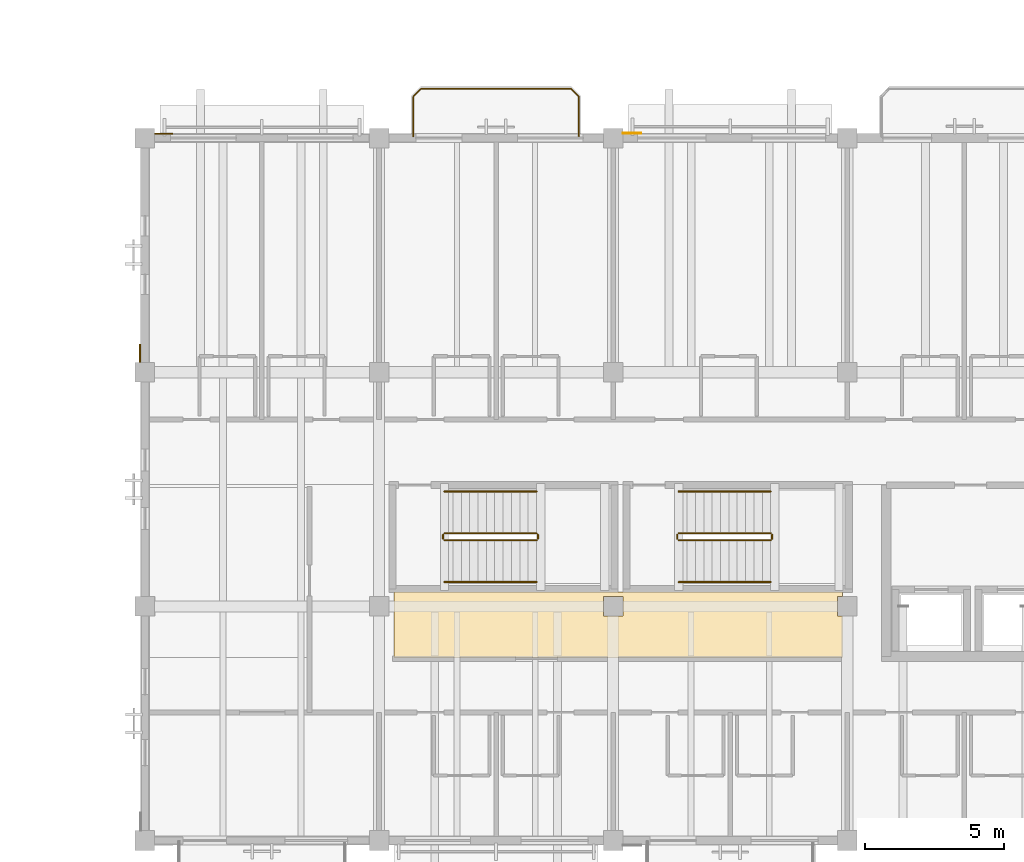
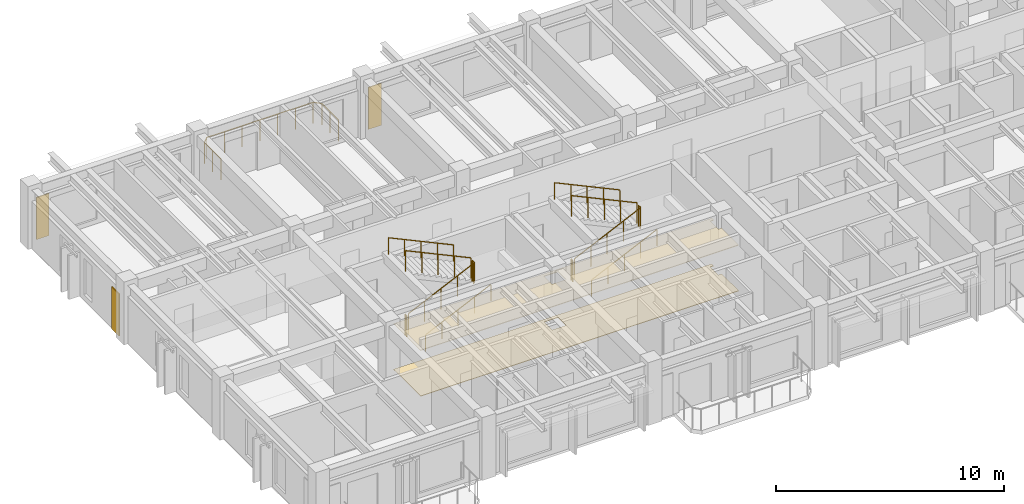
# One storey, part 89 of 93: 13 railings, 5 coverings.
"""IFC4 building model written with IfcOpenShell, lengths in metres."""

from ifc_helpers import new_model, si_unit, direction, frame, origin, origin_2d, place, context, subcontext, project, spatial, polyline, circle, outline, extrude, material, layer, layer_set, type_object, element, save


model = new_model("IFC4")

# Units and contexts
model_context = context("Model", 3, precision=1e-05, world=origin(), true_north=direction((0.0, 1.0)))
body_context = subcontext(model_context, "Body", "Model", "MODEL_VIEW")
ifc_project = project(units=[si_unit("LENGTHUNIT", "METRE"), si_unit("AREAUNIT", "SQUARE_METRE"), si_unit("VOLUMEUNIT", "CUBIC_METRE"), si_unit("PLANEANGLEUNIT", "RADIAN"), si_unit("MASSUNIT", "GRAM", prefix="KILO")], contexts=[model_context])

# Site, building, storey
site_placement = place(None, origin())
site = spatial("IfcSite", under=ifc_project, at=site_placement, CompositionType="ELEMENT")
building_placement = place(site_placement, origin())
building = spatial("IfcBuilding", under=site, at=building_placement, Name="Cumbredor Promenade Congress Hotel", CompositionType="ELEMENT")
storey_placement = place(building_placement, frame((0.0, 0.0, 21.840087890625)))
storey = spatial("IfcBuildingStorey", under=building, at=storey_placement, Name="L06", CompositionType="ELEMENT", Elevation=21.840087890625)

# Coverings
ifc_material_1 = material(Name="Acoustic mineral-fiber and gypsum ceiling")
ifc_layer_1 = layer(ifc_material_1, 0.031982421875, Name="Acoustic mineral-fiber and gypsum ceiling")
ifc_layer_set_1 = layer_set([ifc_layer_1], Name="Acoustic mineral-fiber and gypsum ceiling")
covering_type_1 = type_object("IfcCoveringType", Name="Acoustic Perforated Gypsum Ceiling CLG-04 32mm", PredefinedType="CEILING", material=ifc_layer_set_1)
covering_1_placement = place(storey_placement, frame((0.0, 0.0, 2.43896484375)))
element("IfcCovering", 1, at=covering_1_placement, inside=storey, type_object=covering_type_1, Name="L06 Sabana Delegates Study Salon Acoustic Ceiling", PredefinedType="CEILING", context=body_context, shape_type="SweptSolid", body=[
    extrude(outline(polyline([(8.93994140625, 101.320068359375), (25.02001953125, 101.320068359375), (25.02001953125, 101.155029296875), (24.844970703125, 101.155029296875), (24.844970703125, 100.445068359375), (25.02001953125, 100.445068359375), (25.02001953125, 98.9599609375), (8.93994140625, 98.9599609375), (8.93994140625, 101.320068359375)]), holes=[polyline([(16.445068359375, 101.155029296875), (16.445068359375, 100.445068359375), (17.155029296875, 100.445068359375), (17.155029296875, 101.155029296875), (16.445068359375, 101.155029296875)])]), origin(), (0.0, 0.0, 1.0), 0.031982421875),
])
ifc_material_2 = material(Name="Precast concrete C40/50", Category="concrete")
ifc_layer_2 = layer(ifc_material_2, 0.044921875, Name="Precast concrete C40/50", Category="concrete")
ifc_layer_set_2 = layer_set([ifc_layer_2], Name="Precast concrete C40/50")
covering_type_2 = type_object("IfcCoveringType", Name="Board-Formed Architectural Cladding Panel 45mm", PredefinedType="CLADDING", material=ifc_layer_set_2)
covering_2_placement = place(storey_placement, origin())
element("IfcCovering", 2, at=covering_2_placement, inside=storey, type_object=covering_type_2, Name="L06 Facade Stone Cladding Pier 214", PredefinedType="CLADDING", context=body_context, shape_type="SweptSolid", body=[
    extrude(outline(polyline([(0.35107421875, 117.72998046875), (1.0009765625, 117.72998046875), (1.0009765625, 117.77490234375), (0.35107421875, 117.77490234375), (0.35107421875, 117.72998046875)])), origin(), (0.0, 0.0, 1.0), 2.25),
])
covering_3_placement = place(storey_placement, origin())
element("IfcCovering", 3, at=covering_3_placement, inside=storey, type_object=covering_type_2, Name="L06 Facade Stone Cladding Pier 218", PredefinedType="CLADDING", context=body_context, shape_type="SweptSolid", body=[
    extrude(outline(polyline([(-0.14990234375, 109.551025390625), (-0.14990234375, 110.200927734375), (-0.195068359375, 110.200927734375), (-0.195068359375, 109.551025390625), (-0.14990234375, 109.551025390625)])), origin(), (0.0, 0.0, 1.0), 2.25),
])

# Railings
ifc_material_3 = material(Name="Brushed stainless steel", Category="steel")
railing_type_1 = type_object("IfcRailingType", Name="Interior Void & Stair Guardrail GR-1100", PredefinedType="GUARDRAIL", material=ifc_material_3)
railing_1_placement = place(storey_placement, frame((10.75, 103.169921875, 0.139892578125)))
element("IfcRailing", 4, at=railing_1_placement, inside=storey, type_object=railing_type_1, Name="L06 ST-01 stair guard 1", PredefinedType="GUARDRAIL", context=body_context, shape_type="SweptSolid", body=[
    extrude(circle(Radius=0.02392578125, at=origin_2d()), frame((0.0, 0.0, 1.09619140625), z_axis=(0.906181427284, 0.0, 0.422889135408), x_axis=(0.0, 1.0, 0.0)), (0.0, 0.0, 1.0), 3.6416015625),
    extrude(circle(Radius=0.02099609375, at=origin_2d()), origin(), (0.0, 0.0, 1.0), 1.072021484375),
    extrude(circle(Radius=0.02099609375, at=origin_2d()), frame((0.824951171875, 0.0, 0.385009765625)), (0.0, 0.0, 1.0), 1.072021484375),
    extrude(circle(Radius=0.02099609375, at=origin_2d()), frame((1.64990234375, 0.0, 0.77001953125)), (0.0, 0.0, 1.0), 1.072021484375),
    extrude(circle(Radius=0.02099609375, at=origin_2d()), frame((2.47509765625, 0.0, 1.155029296875)), (0.0, 0.0, 1.0), 1.072021484375),
    extrude(circle(Radius=0.02099609375, at=origin_2d()), frame((3.300048828125, 0.0, 1.5400390625)), (0.0, 0.0, 1.0), 1.072021484375),
])
railing_2_placement = place(storey_placement, frame((14.10009765625, 103.219970703125, 1.679931640625)))
element("IfcRailing", 5, at=railing_2_placement, inside=storey, type_object=railing_type_1, Name="L06 ST-01 stair guard 2", PredefinedType="GUARDRAIL", context=body_context, shape_type="SweptSolid", body=[
    extrude(circle(Radius=0.02392578125, at=origin_2d()), frame((0.0, 0.0, 1.09619140625), z_axis=(0.0, 1.0, 0.0), x_axis=(-1.0, 0.0, 0.0)), (0.0, 0.0, 1.0), 0.150146484375),
    extrude(circle(Radius=0.02099609375, at=origin_2d()), origin(), (0.0, 0.0, 1.0), 1.072021484375),
    extrude(circle(Radius=0.02099609375, at=origin_2d()), frame((0.0, 0.150146484375, 0.0)), (0.0, 0.0, 1.0), 1.072021484375),
])
railing_3_placement = place(storey_placement, frame((14.050048828125, 103.419921875, 1.81982421875)))
element("IfcRailing", 6, at=railing_3_placement, inside=storey, type_object=railing_type_1, Name="L06 ST-01 stair guard 3", PredefinedType="GUARDRAIL", context=body_context, shape_type="SweptSolid", body=[
    extrude(circle(Radius=0.02392578125, at=origin_2d()), frame((0.0, 0.0, 1.09619140625), z_axis=(-0.906181427284, 0.0, 0.422889135408), x_axis=(0.0, -1.0, 0.0)), (0.0, 0.0, 1.0), 3.6416015625),
    extrude(circle(Radius=0.02099609375, at=origin_2d()), origin(), (0.0, 0.0, 1.0), 1.072021484375),
    extrude(circle(Radius=0.02099609375, at=origin_2d()), frame((-0.824951171875, 0.0, 0.385009765625)), (0.0, 0.0, 1.0), 1.072021484375),
    extrude(circle(Radius=0.02099609375, at=origin_2d()), frame((-1.64990234375, 0.0, 0.77001953125)), (0.0, 0.0, 1.0), 1.072021484375),
    extrude(circle(Radius=0.02099609375, at=origin_2d()), frame((-2.47509765625, 0.0, 1.155029296875)), (0.0, 0.0, 1.0), 1.072021484375),
    extrude(circle(Radius=0.02099609375, at=origin_2d()), frame((-3.300048828125, 0.0, 1.5400390625)), (0.0, 0.0, 1.0), 1.072021484375),
])
railing_4_placement = place(storey_placement, frame((10.699951171875, 103.219970703125, 0.0)))
element("IfcRailing", 7, at=railing_4_placement, inside=storey, type_object=railing_type_1, Name="L06 ST-01 stair guard 4", PredefinedType="GUARDRAIL", context=body_context, shape_type="SweptSolid", body=[
    extrude(circle(Radius=0.02392578125, at=origin_2d()), frame((0.0, 0.0, 1.09619140625), z_axis=(0.0, 1.0, 0.0), x_axis=(-1.0, 0.0, 0.0)), (0.0, 0.0, 1.0), 0.150146484375),
    extrude(circle(Radius=0.02099609375, at=origin_2d()), origin(), (0.0, 0.0, 1.0), 1.072021484375),
    extrude(circle(Radius=0.02099609375, at=origin_2d()), frame((0.0, 0.150146484375, 0.0)), (0.0, 0.0, 1.0), 1.072021484375),
])
railing_5_placement = place(storey_placement, frame((19.14990234375, 103.169921875, 0.139892578125)))
element("IfcRailing", 8, at=railing_5_placement, inside=storey, type_object=railing_type_1, Name="L06 ST-02 stair guard 1", PredefinedType="GUARDRAIL", context=body_context, shape_type="SweptSolid", body=[
    extrude(circle(Radius=0.02392578125, at=origin_2d()), frame((0.0, 0.0, 1.09619140625), z_axis=(0.906181427284, 0.0, 0.422889135408), x_axis=(0.0, 1.0, 0.0)), (0.0, 0.0, 1.0), 3.6416015625),
    extrude(circle(Radius=0.02099609375, at=origin_2d()), origin(), (0.0, 0.0, 1.0), 1.072021484375),
    extrude(circle(Radius=0.02099609375, at=origin_2d()), frame((0.824951171875, 0.0, 0.385009765625)), (0.0, 0.0, 1.0), 1.072021484375),
    extrude(circle(Radius=0.02099609375, at=origin_2d()), frame((1.64990234375, 0.0, 0.77001953125)), (0.0, 0.0, 1.0), 1.072021484375),
    extrude(circle(Radius=0.02099609375, at=origin_2d()), frame((2.47509765625, 0.0, 1.155029296875)), (0.0, 0.0, 1.0), 1.072021484375),
    extrude(circle(Radius=0.02099609375, at=origin_2d()), frame((3.300048828125, 0.0, 1.5400390625)), (0.0, 0.0, 1.0), 1.072021484375),
])
railing_6_placement = place(storey_placement, frame((22.5, 103.219970703125, 1.679931640625)))
element("IfcRailing", 9, at=railing_6_placement, inside=storey, type_object=railing_type_1, Name="L06 ST-02 stair guard 2", PredefinedType="GUARDRAIL", context=body_context, shape_type="SweptSolid", body=[
    extrude(circle(Radius=0.02392578125, at=origin_2d()), frame((0.0, 0.0, 1.09619140625), z_axis=(0.0, 1.0, 0.0), x_axis=(-1.0, 0.0, 0.0)), (0.0, 0.0, 1.0), 0.150146484375),
    extrude(circle(Radius=0.02099609375, at=origin_2d()), origin(), (0.0, 0.0, 1.0), 1.072021484375),
    extrude(circle(Radius=0.02099609375, at=origin_2d()), frame((0.0, 0.150146484375, 0.0)), (0.0, 0.0, 1.0), 1.072021484375),
])
railing_7_placement = place(storey_placement, frame((22.449951171875, 103.419921875, 1.81982421875)))
element("IfcRailing", 10, at=railing_7_placement, inside=storey, type_object=railing_type_1, Name="L06 ST-02 stair guard 3", PredefinedType="GUARDRAIL", context=body_context, shape_type="SweptSolid", body=[
    extrude(circle(Radius=0.02392578125, at=origin_2d()), frame((0.0, 0.0, 1.09619140625), z_axis=(-0.906181427284, 0.0, 0.422889135408), x_axis=(0.0, -1.0, 0.0)), (0.0, 0.0, 1.0), 3.6416015625),
    extrude(circle(Radius=0.02099609375, at=origin_2d()), origin(), (0.0, 0.0, 1.0), 1.072021484375),
    extrude(circle(Radius=0.02099609375, at=origin_2d()), frame((-0.824951171875, 0.0, 0.385009765625)), (0.0, 0.0, 1.0), 1.072021484375),
    extrude(circle(Radius=0.02099609375, at=origin_2d()), frame((-1.64990234375, 0.0, 0.77001953125)), (0.0, 0.0, 1.0), 1.072021484375),
    extrude(circle(Radius=0.02099609375, at=origin_2d()), frame((-2.47509765625, 0.0, 1.155029296875)), (0.0, 0.0, 1.0), 1.072021484375),
    extrude(circle(Radius=0.02099609375, at=origin_2d()), frame((-3.300048828125, 0.0, 1.5400390625)), (0.0, 0.0, 1.0), 1.072021484375),
])
railing_8_placement = place(storey_placement, frame((19.10009765625, 103.219970703125, 0.0)))
element("IfcRailing", 11, at=railing_8_placement, inside=storey, type_object=railing_type_1, Name="L06 ST-02 stair guard 4", PredefinedType="GUARDRAIL", context=body_context, shape_type="SweptSolid", body=[
    extrude(circle(Radius=0.02392578125, at=origin_2d()), frame((0.0, 0.0, 1.09619140625), z_axis=(0.0, 1.0, 0.0), x_axis=(-1.0, 0.0, 0.0)), (0.0, 0.0, 1.0), 0.150146484375),
    extrude(circle(Radius=0.02099609375, at=origin_2d()), origin(), (0.0, 0.0, 1.0), 1.072021484375),
    extrude(circle(Radius=0.02099609375, at=origin_2d()), frame((0.0, 0.150146484375, 0.0)), (0.0, 0.0, 1.0), 1.072021484375),
])

# Covering
ifc_material_4 = material(Name="Porcelain stoneware tile", Category="masonry")
ifc_layer_3 = layer(ifc_material_4, 0.02490234375, Name="Porcelain stoneware tile", Category="masonry")
ifc_layer_set_3 = layer_set([ifc_layer_3], Name="Porcelain stoneware tile")
covering_type_3 = type_object("IfcCoveringType", Name="Porcelain Stoneware Flooring FLR-02 25mm", PredefinedType="FLOORING", material=ifc_layer_set_3)
covering_4_placement = place(storey_placement, origin())
element("IfcCovering", 12, at=covering_4_placement, inside=storey, type_object=covering_type_3, Name="L06 Sabana Delegates Study Salon Porcelain Flooring", PredefinedType="FLOORING", context=body_context, shape_type="SweptSolid", body=[
    extrude(outline(polyline([(8.93994140625, 101.320068359375), (25.02001953125, 101.320068359375), (25.02001953125, 101.155029296875), (24.844970703125, 101.155029296875), (24.844970703125, 100.445068359375), (25.02001953125, 100.445068359375), (25.02001953125, 98.9599609375), (8.93994140625, 98.9599609375), (8.93994140625, 101.320068359375)]), holes=[polyline([(16.445068359375, 101.155029296875), (16.445068359375, 100.445068359375), (17.155029296875, 100.445068359375), (17.155029296875, 101.155029296875), (16.445068359375, 101.155029296875)])]), origin(), (0.0, 0.0, 1.0), 0.02490234375),
])

# Railings
railing_type_2 = type_object("IfcRailingType", Name="Sky Garden Glass-and-Steel Balustrade BAL-1150", PredefinedType="BALUSTRADE", material=ifc_material_3)
railing_9_placement = place(storey_placement, frame((9.6298828125, 117.64990234375, 0.0)))
element("IfcRailing", 13, at=railing_9_placement, inside=storey, type_object=railing_type_2, Name="L06 Veranda Balcony Balustrade 034", PredefinedType="BALUSTRADE", context=body_context, shape_type="SweptSolid", body=[
    extrude(circle(Radius=0.02392578125, at=origin_2d()), frame((0.0, 0.0, 1.1259765625), z_axis=(0.0, 1.0, 0.0), x_axis=(-1.0, 0.0, 0.0)), (0.0, 0.0, 1.0), 1.440185546875),
    extrude(circle(Radius=0.02392578125, at=origin_2d()), frame((0.0, 1.440185546875, 1.1259765625), z_axis=(0.707106781187, 0.707106781187, 0.0), x_axis=(-0.707106781187, 0.707106781187, 0.0)), (0.0, 0.0, 1.0), 0.39599609375),
    extrude(circle(Radius=0.02392578125, at=origin_2d()), frame((0.280029296875, 1.72021484375, 1.1259765625), z_axis=(1.0, 0.0, 0.0), x_axis=(0.0, 1.0, 0.0)), (0.0, 0.0, 1.0), 5.380126953125),
    extrude(circle(Radius=0.02392578125, at=origin_2d()), frame((5.66015625, 1.72021484375, 1.1259765625), z_axis=(0.707106781187, -0.707106781187, 0.0), x_axis=(0.707106781187, 0.707106781187, 0.0)), (0.0, 0.0, 1.0), 0.39599609375),
    extrude(circle(Radius=0.02392578125, at=origin_2d()), frame((5.940185546875, 1.440185546875, 1.1259765625), z_axis=(0.0, -1.0, 0.0), x_axis=(1.0, 0.0, 0.0)), (0.0, 0.0, 1.0), 1.440185546875),
    extrude(circle(Radius=0.02099609375, at=origin_2d()), origin(), (0.0, 0.0, 1.0), 1.101806640625),
    extrude(circle(Radius=0.02099609375, at=origin_2d()), frame((0.0, 0.72021484375, 0.0)), (0.0, 0.0, 1.0), 1.101806640625),
    extrude(circle(Radius=0.02099609375, at=origin_2d()), frame((0.0, 1.440185546875, 0.0)), (0.0, 0.0, 1.0), 1.101806640625),
    extrude(circle(Radius=0.02099609375, at=origin_2d()), frame((0.280029296875, 1.72021484375, 0.0)), (0.0, 0.0, 1.0), 1.101806640625),
    extrude(circle(Radius=0.02099609375, at=origin_2d()), frame((1.1767578125, 1.72021484375, 0.0)), (0.0, 0.0, 1.0), 1.101806640625),
    extrude(circle(Radius=0.02099609375, at=origin_2d()), frame((2.073486328125, 1.72021484375, 0.0)), (0.0, 0.0, 1.0), 1.101806640625),
    extrude(circle(Radius=0.02099609375, at=origin_2d()), frame((2.97021484375, 1.72021484375, 0.0)), (0.0, 0.0, 1.0), 1.101806640625),
    extrude(circle(Radius=0.02099609375, at=origin_2d()), frame((3.86669921875, 1.72021484375, 0.0)), (0.0, 0.0, 1.0), 1.101806640625),
    extrude(circle(Radius=0.02099609375, at=origin_2d()), frame((4.763427734375, 1.72021484375, 0.0)), (0.0, 0.0, 1.0), 1.101806640625),
    extrude(circle(Radius=0.02099609375, at=origin_2d()), frame((5.66015625, 1.72021484375, 0.0)), (0.0, 0.0, 1.0), 1.101806640625),
    extrude(circle(Radius=0.02099609375, at=origin_2d()), frame((5.940185546875, 1.440185546875, 0.0)), (0.0, 0.0, 1.0), 1.101806640625),
    extrude(circle(Radius=0.02099609375, at=origin_2d()), frame((5.940185546875, 0.72021484375, 0.0)), (0.0, 0.0, 1.0), 1.101806640625),
    extrude(circle(Radius=0.02099609375, at=origin_2d()), frame((5.940185546875, 0.0, 0.0)), (0.0, 0.0, 1.0), 1.101806640625),
])
railing_type_3 = type_object("IfcRailingType", Name="Stair Pitch Handrail HR-900", PredefinedType="HANDRAIL", material=ifc_material_3)
railing_10_placement = place(storey_placement, frame((10.75, 101.669921875, 0.139892578125)))
element("IfcRailing", 14, at=railing_10_placement, inside=storey, type_object=railing_type_3, Name="L06 ST-01 stair handrail 1", PredefinedType="HANDRAIL", context=body_context, shape_type="SweptSolid", body=[
    extrude(circle(Radius=0.02392578125, at=origin_2d()), frame((0.0, 0.0, 0.8759765625), z_axis=(0.906181427284, 0.0, 0.422889135408), x_axis=(0.0, 1.0, 0.0)), (0.0, 0.0, 1.0), 3.6416015625),
    extrude(circle(Radius=0.02099609375, at=origin_2d()), origin(), (0.0, 0.0, 1.0), 0.851806640625),
    extrude(circle(Radius=0.02099609375, at=origin_2d()), frame((0.824951171875, 0.0, 0.385009765625)), (0.0, 0.0, 1.0), 0.851806640625),
    extrude(circle(Radius=0.02099609375, at=origin_2d()), frame((1.64990234375, 0.0, 0.77001953125)), (0.0, 0.0, 1.0), 0.851806640625),
    extrude(circle(Radius=0.02099609375, at=origin_2d()), frame((2.47509765625, 0.0, 1.155029296875)), (0.0, 0.0, 1.0), 0.851806640625),
    extrude(circle(Radius=0.02099609375, at=origin_2d()), frame((3.300048828125, 0.0, 1.5400390625)), (0.0, 0.0, 1.0), 0.851806640625),
])
railing_11_placement = place(storey_placement, frame((14.050048828125, 104.919921875, 1.81982421875)))
element("IfcRailing", 15, at=railing_11_placement, inside=storey, type_object=railing_type_3, Name="L06 ST-01 stair handrail 2", PredefinedType="HANDRAIL", context=body_context, shape_type="SweptSolid", body=[
    extrude(circle(Radius=0.02392578125, at=origin_2d()), frame((0.0, 0.0, 0.8759765625), z_axis=(-0.906181427284, 0.0, 0.422889135408), x_axis=(0.0, -1.0, 0.0)), (0.0, 0.0, 1.0), 3.6416015625),
    extrude(circle(Radius=0.02099609375, at=origin_2d()), origin(), (0.0, 0.0, 1.0), 0.851806640625),
    extrude(circle(Radius=0.02099609375, at=origin_2d()), frame((-0.824951171875, 0.0, 0.385009765625)), (0.0, 0.0, 1.0), 0.851806640625),
    extrude(circle(Radius=0.02099609375, at=origin_2d()), frame((-1.64990234375, 0.0, 0.77001953125)), (0.0, 0.0, 1.0), 0.851806640625),
    extrude(circle(Radius=0.02099609375, at=origin_2d()), frame((-2.47509765625, 0.0, 1.155029296875)), (0.0, 0.0, 1.0), 0.851806640625),
    extrude(circle(Radius=0.02099609375, at=origin_2d()), frame((-3.300048828125, 0.0, 1.5400390625)), (0.0, 0.0, 1.0), 0.851806640625),
])
railing_12_placement = place(storey_placement, frame((19.14990234375, 101.669921875, 0.139892578125)))
element("IfcRailing", 16, at=railing_12_placement, inside=storey, type_object=railing_type_3, Name="L06 ST-02 stair handrail 1", PredefinedType="HANDRAIL", context=body_context, shape_type="SweptSolid", body=[
    extrude(circle(Radius=0.02392578125, at=origin_2d()), frame((0.0, 0.0, 0.8759765625), z_axis=(0.906181427284, 0.0, 0.422889135408), x_axis=(0.0, 1.0, 0.0)), (0.0, 0.0, 1.0), 3.6416015625),
    extrude(circle(Radius=0.02099609375, at=origin_2d()), origin(), (0.0, 0.0, 1.0), 0.851806640625),
    extrude(circle(Radius=0.02099609375, at=origin_2d()), frame((0.824951171875, 0.0, 0.385009765625)), (0.0, 0.0, 1.0), 0.851806640625),
    extrude(circle(Radius=0.02099609375, at=origin_2d()), frame((1.64990234375, 0.0, 0.77001953125)), (0.0, 0.0, 1.0), 0.851806640625),
    extrude(circle(Radius=0.02099609375, at=origin_2d()), frame((2.47509765625, 0.0, 1.155029296875)), (0.0, 0.0, 1.0), 0.851806640625),
    extrude(circle(Radius=0.02099609375, at=origin_2d()), frame((3.300048828125, 0.0, 1.5400390625)), (0.0, 0.0, 1.0), 0.851806640625),
])
railing_13_placement = place(storey_placement, frame((22.449951171875, 104.919921875, 1.81982421875)))
element("IfcRailing", 17, at=railing_13_placement, inside=storey, type_object=railing_type_3, Name="L06 ST-02 stair handrail 2", PredefinedType="HANDRAIL", context=body_context, shape_type="SweptSolid", body=[
    extrude(circle(Radius=0.02392578125, at=origin_2d()), frame((0.0, 0.0, 0.8759765625), z_axis=(-0.906181427284, 0.0, 0.422889135408), x_axis=(0.0, -1.0, 0.0)), (0.0, 0.0, 1.0), 3.6416015625),
    extrude(circle(Radius=0.02099609375, at=origin_2d()), origin(), (0.0, 0.0, 1.0), 0.851806640625),
    extrude(circle(Radius=0.02099609375, at=origin_2d()), frame((-0.824951171875, 0.0, 0.385009765625)), (0.0, 0.0, 1.0), 0.851806640625),
    extrude(circle(Radius=0.02099609375, at=origin_2d()), frame((-1.64990234375, 0.0, 0.77001953125)), (0.0, 0.0, 1.0), 0.851806640625),
    extrude(circle(Radius=0.02099609375, at=origin_2d()), frame((-2.47509765625, 0.0, 1.155029296875)), (0.0, 0.0, 1.0), 0.851806640625),
    extrude(circle(Radius=0.02099609375, at=origin_2d()), frame((-3.300048828125, 0.0, 1.5400390625)), (0.0, 0.0, 1.0), 0.851806640625),
])

# Covering
ifc_material_5 = material(Name="Volcanic andesite ashlar cladding", Category="masonry")
ifc_layer_4 = layer(ifc_material_5, 0.034912109375, Name="Volcanic andesite ashlar cladding", Category="masonry")
ifc_layer_set_4 = layer_set([ifc_layer_4], Name="Volcanic andesite ashlar cladding")
covering_type_4 = type_object("IfcCoveringType", Name="Volcanic Andesite Ashlar Rainscreen Cladding 35mm", PredefinedType="CLADDING", material=ifc_layer_set_4)
covering_5_placement = place(storey_placement, origin())
element("IfcCovering", 18, at=covering_5_placement, inside=storey, type_object=covering_type_4, Name="L06 Facade Stone Cladding Pier 215", PredefinedType="CLADDING", context=body_context, shape_type="SweptSolid", body=[
    extrude(outline(polyline([(17.15087890625, 117.75), (17.801025390625, 117.75), (17.801025390625, 117.784912109375), (17.15087890625, 117.784912109375), (17.15087890625, 117.75)])), origin(), (0.0, 0.0, 1.0), 2.25),
])

save(model, "model.ifc")
